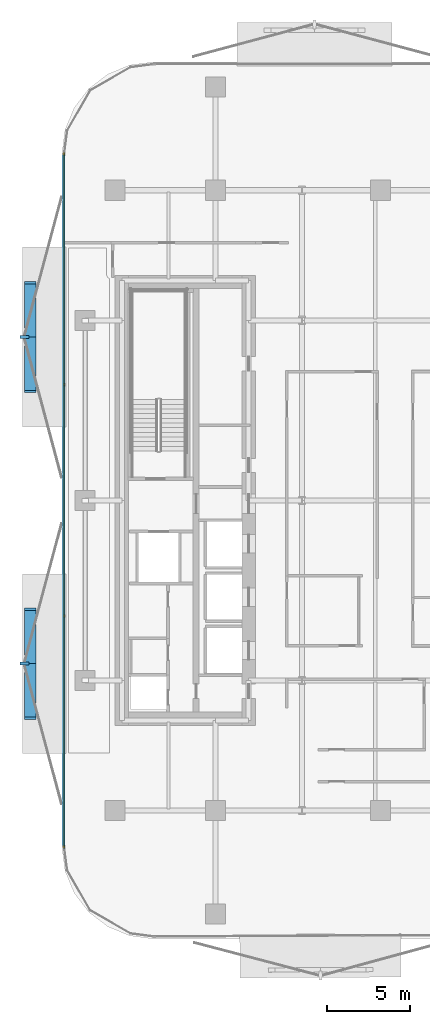
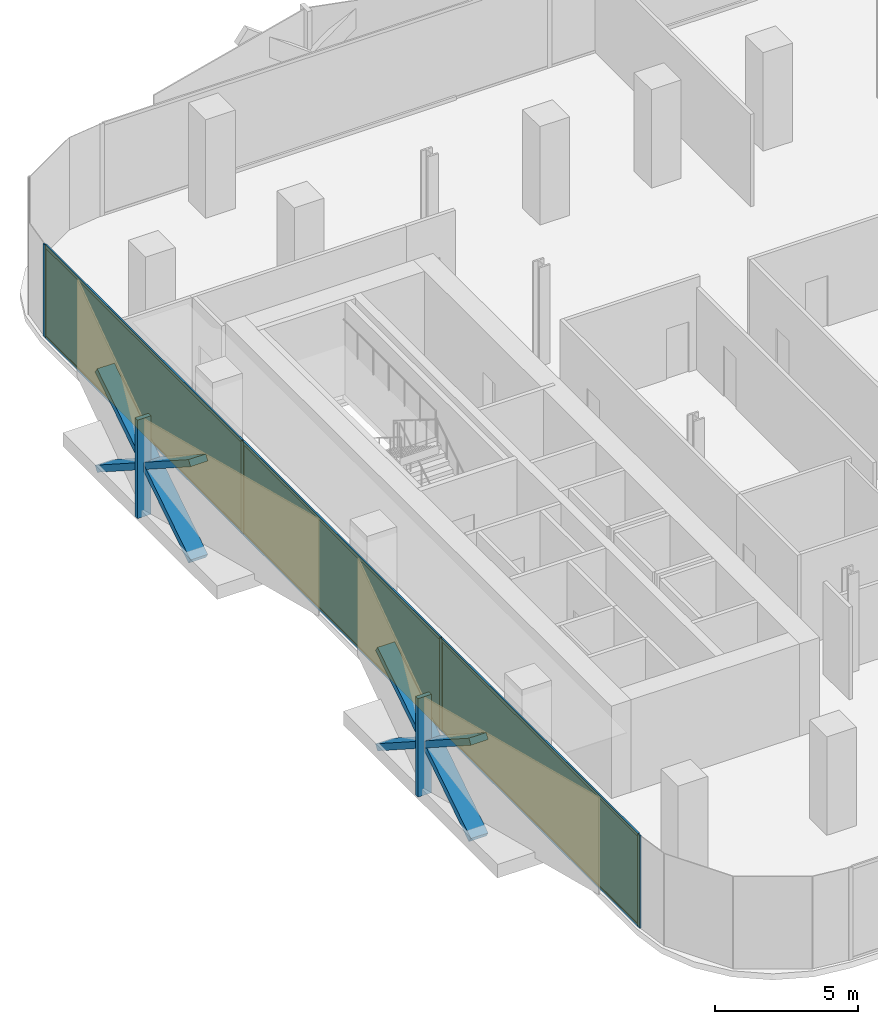
# One storey, part 8 of 16: 16 members, 3 plates, 1 curtain wall.
"""IFC4 building model written with IfcOpenShell, lengths in metres."""

from ifc_helpers import new_model, si_unit, direction, frame, frame_2d, origin, origin_2d, place, context, subcontext, project, spatial, rectangle, extrude, material, layer, layer_set, material_profile, profile_set, type_object, element, aggregate, save


model = new_model("IFC4")

# Units and contexts
model_context = context("Model", 3, precision=1e-05, world=origin(), true_north=direction((0.0, 1.0)))
body_context = subcontext(model_context, "Body", "Model", "MODEL_VIEW")
ifc_project = project(units=[si_unit("LENGTHUNIT", "METRE"), si_unit("AREAUNIT", "SQUARE_METRE"), si_unit("VOLUMEUNIT", "CUBIC_METRE"), si_unit("PLANEANGLEUNIT", "RADIAN"), si_unit("MASSUNIT", "GRAM", prefix="KILO")], contexts=[model_context])

# Member
ifc_material_1 = material(Name="Anodised Bronze Aluminium 6063-T6", Category="aluminium")
ifc_material_profile_1 = material_profile(ifc_material_1, rectangle(XDim=0.260009765625, YDim=0.699951171875, at=origin_2d()))
ifc_profile_set_1 = profile_set([ifc_material_profile_1], Name="Anodised Bronze Aluminium 6063-T6")
member_type_1 = type_object("IfcMemberType", Name="Bronze Diamond Solar-Screen Lattice Rib BDL-700", PredefinedType="MULLION", material=ifc_profile_set_1)
site_placement = place(None, origin())
building_placement = place(site_placement, origin())
storey_placement = place(building_placement, frame((0.0, 0.0, 97.39990234375)))
member_1_placement = place(storey_placement, frame((-25.5, -13.060546875, -0.1298828125), z_axis=(0.0, 0.841066075866, 0.540932395062), x_axis=(0.0, -0.540932395062, 0.841066075866)))
member_1 = element("IfcMember", 1, at=member_1_placement, type_object=member_type_1, Name="L22 Bronze Diamond Solar Screen Lattice Rib 123A", PredefinedType="MULLION", context=body_context, shape_type="SweptSolid", body=[
    extrude(rectangle(XDim=0.260009765625, YDim=0.699951171875, at=origin_2d()), origin(), (0.0, 0.0, 1.0), 7.76416015625),
])

member_2_placement = place(storey_placement, frame((-25.5, -6.5302734375, -0.1298828125), z_axis=(0.0, -0.841066075866, 0.540932395062), x_axis=(0.0, 0.540932395062, 0.841066075866)))
member_2 = element("IfcMember", 2, at=member_2_placement, type_object=member_type_1, Name="L22 Bronze Diamond Solar Screen Lattice Rib 123B", PredefinedType="MULLION", context=body_context, shape_type="SweptSolid", body=[
    extrude(rectangle(XDim=0.260009765625, YDim=0.699951171875, at=origin_2d()), origin(), (0.0, 0.0, 1.0), 7.76416015625),
])

member_3_placement = place(storey_placement, frame((-25.5, 6.5302734375, -0.1298828125), z_axis=(0.0, 0.841066075866, 0.540932395062), x_axis=(0.0, -0.540932395062, 0.841066075866)))
member_3 = element("IfcMember", 3, at=member_3_placement, type_object=member_type_1, Name="L22 Bronze Diamond Solar Screen Lattice Rib 124A", PredefinedType="MULLION", context=body_context, shape_type="SweptSolid", body=[
    extrude(rectangle(XDim=0.260009765625, YDim=0.699951171875, at=origin_2d()), origin(), (0.0, 0.0, 1.0), 7.76416015625),
])

member_4_placement = place(storey_placement, frame((-25.5, 13.060546875, -0.1298828125), z_axis=(0.0, -0.841066075866, 0.540932395062), x_axis=(0.0, 0.540932395062, 0.841066075866)))
member_4 = element("IfcMember", 4, at=member_4_placement, type_object=member_type_1, Name="L22 Bronze Diamond Solar Screen Lattice Rib 124B", PredefinedType="MULLION", context=body_context, shape_type="SweptSolid", body=[
    extrude(rectangle(XDim=0.260009765625, YDim=0.699951171875, at=origin_2d()), origin(), (0.0, 0.0, 1.0), 7.76416015625),
])

ifc_material_2 = material(Name="Anodised Bronze Aluminium 6063-T6", Category="aluminium")
ifc_material_profile_2 = material_profile(ifc_material_2, rectangle(XDim=0.179931640625, YDim=0.5400390625, at=origin_2d()))
ifc_profile_set_2 = profile_set([ifc_material_profile_2], Name="Anodised Bronze Aluminium 6063-T6")
member_type_2 = type_object("IfcMemberType", Name="Bronze Solar-Screen Vertical Fold Fin BSF-540", PredefinedType="MULLION", material=ifc_profile_set_2)
member_5_placement = place(storey_placement, frame((-25.840087890625, -9.79541015625, -0.1298828125), z_axis=(0.0, 0.0, 1.0), x_axis=(0.0, 1.0, 0.0)))
member_5 = element("IfcMember", 5, at=member_5_placement, type_object=member_type_2, Name="L22 Bronze Solar Screen Vertical Fin 123", PredefinedType="MULLION", context=body_context, shape_type="SweptSolid", body=[
    extrude(rectangle(XDim=0.179931640625, YDim=0.5400390625, at=origin_2d()), origin(), (0.0, 0.0, 1.0), 4.199951171875),
])

member_6_placement = place(storey_placement, frame((-25.840087890625, 9.79541015625, -0.1298828125), z_axis=(0.0, 0.0, 1.0), x_axis=(0.0, 1.0, 0.0)))
member_6 = element("IfcMember", 6, at=member_6_placement, type_object=member_type_2, Name="L22 Bronze Solar Screen Vertical Fin 124", PredefinedType="MULLION", context=body_context, shape_type="SweptSolid", body=[
    extrude(rectangle(XDim=0.179931640625, YDim=0.5400390625, at=origin_2d()), origin(), (0.0, 0.0, 1.0), 4.199951171875),
])

ifc_material_3 = material(Name="Anodised Bronze Aluminium 6063-T6", Category="aluminium")
ifc_material_profile_3 = material_profile(ifc_material_3, rectangle(XDim=0.06494140625, YDim=0.175048828125, at=origin_2d()))
ifc_profile_set_3 = profile_set([ifc_material_profile_3], Name="Anodised Bronze Aluminium 6063-T6")
member_type_3 = type_object("IfcMemberType", Name="CW-Z2 Mullion 65x175", PredefinedType="MULLION", material=ifc_profile_set_3)
member_7_placement = place(storey_placement, frame((-23.4599609375, -20.75830078125, 0.0), z_axis=(0.0, 0.0, 1.0), x_axis=(-1.0, 0.0, 0.0)))
member_7 = element("IfcMember", 7, at=member_7_placement, type_object=member_type_3, Name="CW-Z2 mullion 1", PredefinedType="MULLION", context=body_context, shape_type="SweptSolid", body=[
    extrude(rectangle(XDim=0.06494140625, YDim=0.175048828125, at=origin_2d()), origin(), (0.0, 0.0, 1.0), 3.940185546875),
])

member_8_placement = place(storey_placement, frame((-23.4599609375, -6.93017578125, 0.0), z_axis=(0.0, 0.0, 1.0), x_axis=(-1.0, 0.0, 0.0)))
member_8 = element("IfcMember", 8, at=member_8_placement, type_object=member_type_3, Name="CW-Z2 mullion 2", PredefinedType="MULLION", context=body_context, shape_type="SweptSolid", body=[
    extrude(rectangle(XDim=0.06494140625, YDim=0.175048828125, at=origin_2d()), origin(), (0.0, 0.0, 1.0), 3.940185546875),
])

member_9_placement = place(storey_placement, frame((-23.4599609375, 6.93017578125, 0.0), z_axis=(0.0, 0.0, 1.0), x_axis=(-1.0, 0.0, 0.0)))
member_9 = element("IfcMember", 9, at=member_9_placement, type_object=member_type_3, Name="CW-Z2 mullion 3", PredefinedType="MULLION", context=body_context, shape_type="SweptSolid", body=[
    extrude(rectangle(XDim=0.06494140625, YDim=0.175048828125, at=origin_2d()), origin(), (0.0, 0.0, 1.0), 3.940185546875),
])

member_10_placement = place(storey_placement, frame((-23.4599609375, 20.75830078125, 0.0), z_axis=(0.0, 0.0, 1.0), x_axis=(-1.0, 0.0, 0.0)))
member_10 = element("IfcMember", 10, at=member_10_placement, type_object=member_type_3, Name="CW-Z2 mullion 4", PredefinedType="MULLION", context=body_context, shape_type="SweptSolid", body=[
    extrude(rectangle(XDim=0.06494140625, YDim=0.175048828125, at=origin_2d()), origin(), (0.0, 0.0, 1.0), 3.940185546875),
])

ifc_material_4 = material(Name="Anodised Bronze Aluminium 6063-T6", Category="aluminium")
ifc_material_profile_4 = material_profile(ifc_material_4, rectangle(XDim=0.06494140625, YDim=0.135009765625, at=origin_2d()))
ifc_profile_set_4 = profile_set([ifc_material_profile_4], Name="Anodised Bronze Aluminium 6063-T6")
member_type_4 = type_object("IfcMemberType", Name="CW-Z2 Transom 65x135", PredefinedType="USERDEFINED", material=ifc_profile_set_4)
member_11_placement = place(storey_placement, frame((-23.4599609375, -20.725830078125, 0.03271484375), z_axis=(0.0, 1.0, 0.0), x_axis=(-1.0, 0.0, 0.0)))
member_11 = element("IfcMember", 11, at=member_11_placement, type_object=member_type_4, Name="CW-Z2 transom 1.1", ObjectType="TRANSOM", PredefinedType="USERDEFINED", context=body_context, shape_type="SweptSolid", body=[
    extrude(rectangle(XDim=0.06494140625, YDim=0.135009765625, at=origin_2d()), origin(), (0.0, 0.0, 1.0), 13.76318359375),
])

member_12_placement = place(storey_placement, frame((-23.4599609375, -20.725830078125, 3.90771484375), z_axis=(0.0, 1.0, 0.0), x_axis=(-1.0, 0.0, 0.0)))
member_12 = element("IfcMember", 12, at=member_12_placement, type_object=member_type_4, Name="CW-Z2 transom 1.2", ObjectType="TRANSOM", PredefinedType="USERDEFINED", context=body_context, shape_type="SweptSolid", body=[
    extrude(rectangle(XDim=0.06494140625, YDim=0.135009765625, at=origin_2d()), origin(), (0.0, 0.0, 1.0), 13.76318359375),
])

member_13_placement = place(storey_placement, frame((-23.4599609375, -6.897705078125, 0.03271484375), z_axis=(0.0, 1.0, 0.0), x_axis=(-1.0, 0.0, 0.0)))
member_13 = element("IfcMember", 13, at=member_13_placement, type_object=member_type_4, Name="CW-Z2 transom 2.1", ObjectType="TRANSOM", PredefinedType="USERDEFINED", context=body_context, shape_type="SweptSolid", body=[
    extrude(rectangle(XDim=0.06494140625, YDim=0.135009765625, at=origin_2d()), origin(), (0.0, 0.0, 1.0), 13.79541015625),
])

member_14_placement = place(storey_placement, frame((-23.4599609375, -6.897705078125, 3.90771484375), z_axis=(0.0, 1.0, 0.0), x_axis=(-1.0, 0.0, 0.0)))
member_14 = element("IfcMember", 14, at=member_14_placement, type_object=member_type_4, Name="CW-Z2 transom 2.2", ObjectType="TRANSOM", PredefinedType="USERDEFINED", context=body_context, shape_type="SweptSolid", body=[
    extrude(rectangle(XDim=0.06494140625, YDim=0.135009765625, at=origin_2d()), origin(), (0.0, 0.0, 1.0), 13.79541015625),
])

member_15_placement = place(storey_placement, frame((-23.4599609375, 6.962646484375, 0.03271484375), z_axis=(0.0, 1.0, 0.0), x_axis=(-1.0, 0.0, 0.0)))
member_15 = element("IfcMember", 15, at=member_15_placement, type_object=member_type_4, Name="CW-Z2 transom 3.1", ObjectType="TRANSOM", PredefinedType="USERDEFINED", context=body_context, shape_type="SweptSolid", body=[
    extrude(rectangle(XDim=0.06494140625, YDim=0.135009765625, at=origin_2d()), origin(), (0.0, 0.0, 1.0), 13.76318359375),
])

member_16_placement = place(storey_placement, frame((-23.4599609375, 6.962646484375, 3.90771484375), z_axis=(0.0, 1.0, 0.0), x_axis=(-1.0, 0.0, 0.0)))
member_16 = element("IfcMember", 16, at=member_16_placement, type_object=member_type_4, Name="CW-Z2 transom 3.2", ObjectType="TRANSOM", PredefinedType="USERDEFINED", context=body_context, shape_type="SweptSolid", body=[
    extrude(rectangle(XDim=0.06494140625, YDim=0.135009765625, at=origin_2d()), origin(), (0.0, 0.0, 1.0), 13.76318359375),
])

# Plate
ifc_material_5 = material(Name="Low-E Solar Control Laminated Glass", Category="glass")
ifc_layer_1 = layer(ifc_material_5, 0.028076171875, Name="Low-E Solar Control Laminated Glass")
ifc_layer_set_1 = layer_set([ifc_layer_1], Name="Low-E Solar Control Laminated Glass")
plate_type = type_object("IfcPlateType", Name="CW-Z2 Low-E Double Glazed Panel 28mm", PredefinedType="CURTAIN_PANEL", material=ifc_layer_set_1)
plate_1_placement = place(storey_placement, frame((-23.4599609375, -13.84423828125, 0.065185546875), z_axis=(0.0, 0.0, 1.0), x_axis=(0.0, 1.0, 0.0)))
plate_1 = element("IfcPlate", 17, at=plate_1_placement, type_object=plate_type, Name="CW-Z2 panel 1.1", PredefinedType="CURTAIN_PANEL", context=body_context, shape_type="SweptSolid", body=[
    extrude(rectangle(XDim=13.762939453125, YDim=0.028076171875, at=origin_2d()), origin(), (0.0, 0.0, 1.0), 3.81005859375),
])

plate_2_placement = place(storey_placement, frame((-23.4599609375, 0.0, 0.065185546875), z_axis=(0.0, 0.0, 1.0), x_axis=(0.0, 1.0, 0.0)))
plate_2 = element("IfcPlate", 18, at=plate_2_placement, type_object=plate_type, Name="CW-Z2 panel 2.1", PredefinedType="CURTAIN_PANEL", context=body_context, shape_type="SweptSolid", body=[
    extrude(rectangle(XDim=13.795654296875, YDim=0.028076171875, at=origin_2d()), origin(), (0.0, 0.0, 1.0), 3.81005859375),
])

plate_3_placement = place(storey_placement, frame((-23.4599609375, 13.84423828125, 0.065185546875), z_axis=(0.0, 0.0, 1.0), x_axis=(0.0, 1.0, 0.0)))
plate_3 = element("IfcPlate", 19, at=plate_3_placement, type_object=plate_type, Name="CW-Z2 panel 3.1", PredefinedType="CURTAIN_PANEL", context=body_context, shape_type="SweptSolid", body=[
    extrude(rectangle(XDim=13.762939453125, YDim=0.028076171875, at=origin_2d()), origin(), (0.0, 0.0, 1.0), 3.81005859375),
])

# Site, building, storey
site = spatial("IfcSite", under=ifc_project, at=site_placement, CompositionType="ELEMENT")
building = spatial("IfcBuilding", under=site, at=building_placement, Name="Khairoan Windgate Tower", CompositionType="ELEMENT")
storey = spatial("IfcBuildingStorey", under=building, at=storey_placement, Name="L22", CompositionType="ELEMENT", Elevation=97.39990234375)

# Curtain wall
ifc_material_6 = material(Name="Anodised Bronze Aluminium 6063-T6", Category="aluminium")
ifc_layer_2 = layer(ifc_material_6, 0.175048828125, Name="Anodised Bronze Aluminium 6063-T6")
ifc_layer_set_2 = layer_set([ifc_layer_2], Name="Anodised Bronze Aluminium 6063-T6")
curtain_wall_type = type_object("IfcCurtainWallType", Name="Mid-Rise Office Unitised Curtain Wall CW-Z2", PredefinedType="NOTDEFINED", material=ifc_layer_set_2)
curtain_wall_placement = place(storey_placement, frame((-23.4599609375, -20.790771484375, 0.0), z_axis=(0.0, 0.0, 1.0), x_axis=(0.0, 1.0, 0.0)))
curtain_wall = element("IfcCurtainWall", 20, at=curtain_wall_placement, inside=storey, type_object=curtain_wall_type, Name="L22 Unitised Curtain Wall 6", PredefinedType="NOTDEFINED", context=body_context, shape_type="SweptSolid", body=[
    extrude(rectangle(XDim=41.58154296875, YDim=0.010009765625, at=frame_2d((20.790771484375, 0.0))), origin(), (0.0, 0.0, 1.0), 3.940185546875),
])

aggregate(curtain_wall, [member_7, member_8, member_9, member_10, member_11, member_12, plate_1, member_13, member_14, plate_2, member_15, member_16, plate_3, member_1, member_2, member_5, member_3, member_4, member_6])

save(model, "model.ifc")
